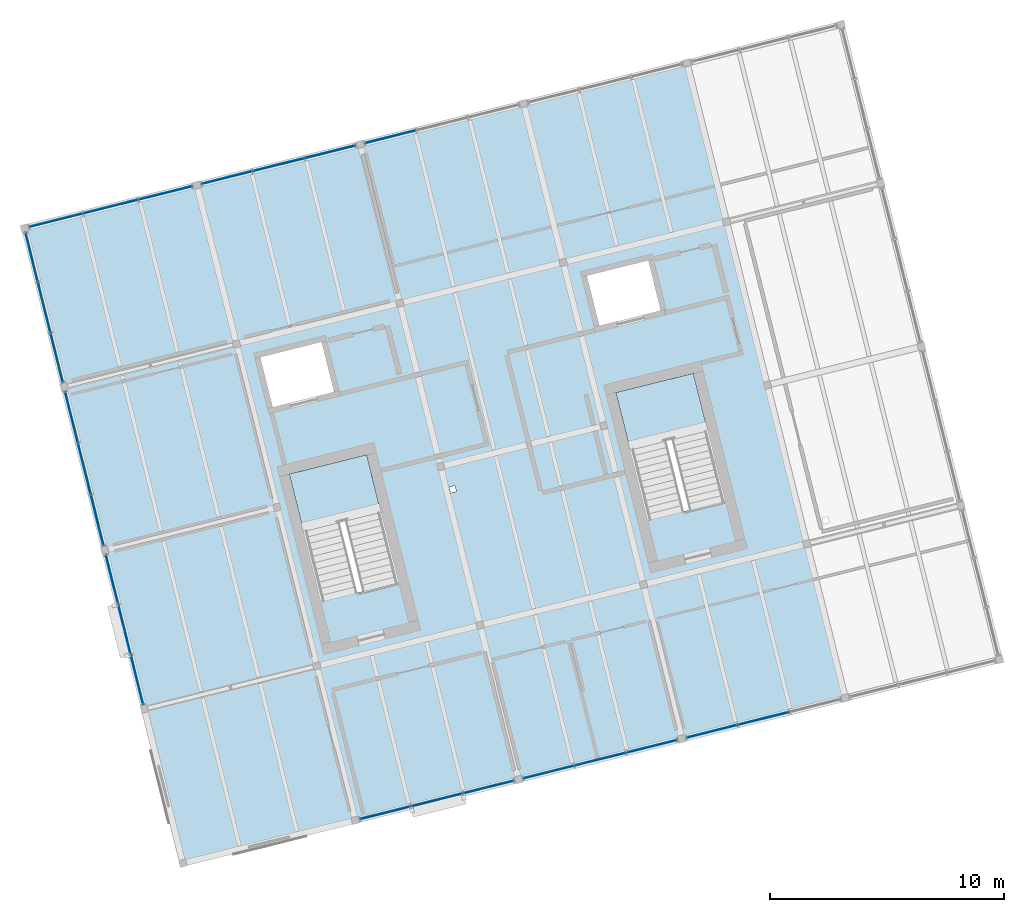
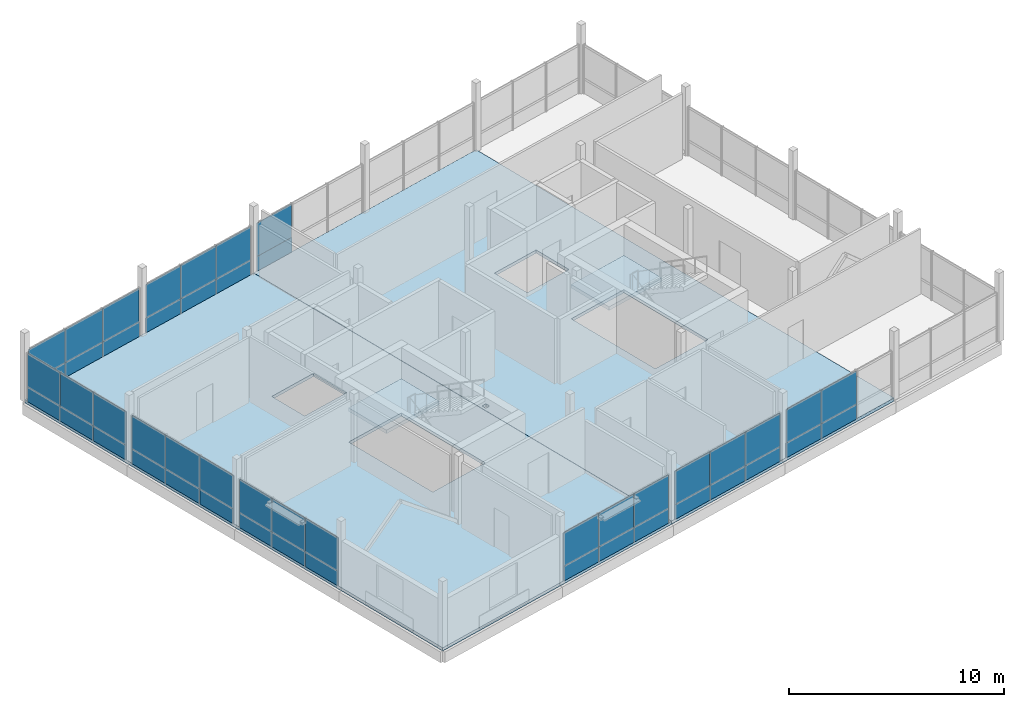
# One storey, part 21 of 25: 48 plates, 4 slabs, 11 elements without a shape of their own.
"""IFC4 building model written with IfcOpenShell, lengths in metres."""

from ifc_helpers import new_model, si_unit, direction, frame, origin, origin_2d, place, context, subcontext, project, spatial, polyline, rectangle, outline, extrude, material, layer, layer_set, type_object, element, aggregate, save


model = new_model("IFC4")

# Units and contexts
model_context = context("Model", 3, precision=1e-05, world=origin(), true_north=direction((0.0, 1.0)))
body_context = subcontext(model_context, "Body", "Model", "MODEL_VIEW")
ifc_project = project(units=[si_unit("LENGTHUNIT", "METRE"), si_unit("AREAUNIT", "SQUARE_METRE"), si_unit("VOLUMEUNIT", "CUBIC_METRE"), si_unit("PLANEANGLEUNIT", "RADIAN"), si_unit("MASSUNIT", "GRAM", prefix="KILO")], contexts=[model_context])

# Site, building, storey
site_placement = place(None, origin())
site = spatial("IfcSite", under=ifc_project, at=site_placement, CompositionType="ELEMENT")
building_placement = place(site_placement, origin())
building = spatial("IfcBuilding", under=site, at=building_placement, Name="Meriwether Solvik Hall", CompositionType="ELEMENT")
storey_placement = place(building_placement, frame((0.0, 0.0, 49.5)))
storey = spatial("IfcBuildingStorey", under=building, at=storey_placement, Name="L12", CompositionType="ELEMENT", Elevation=49.5)

# Curtain wall, plates
ifc_material_1 = material(Name="Thermally Broken Anodised Aluminium 6063-T6 and Low-E Glass", Category="aluminium")
ifc_layer_1 = layer(ifc_material_1, 0.179931640625)
ifc_layer_set_1 = layer_set([ifc_layer_1], Name="Thermally Broken Anodised Aluminium 6063-T6 and Low-E Glass")
curtain_wall_type_1 = type_object("IfcCurtainWallType", Name="CW-UNIT-E", PredefinedType="USERDEFINED", material=ifc_layer_set_1)
curtain_wall_1_placement = place(storey_placement, origin())
curtain_wall_1 = element("IfcCurtainWall", 1, at=curtain_wall_1_placement, inside=storey, type_object=curtain_wall_type_1, Name="Curtain Wall E0_B2 (L12)", ObjectType="UNITISED CURTAIN WALL", PredefinedType="USERDEFINED")
ifc_material_2 = material(Name="Low-Emissivity Double-Glazed Laminated Glass", Category="glass")
ifc_layer_2 = layer(ifc_material_2, 0.031982421875)
ifc_layer_set_2 = layer_set([ifc_layer_2], Name="Low-Emissivity Double-Glazed Laminated Glass")
plate_type_1 = type_object("IfcPlateType", Name="PLT-GLZ-180X185", PredefinedType="CURTAIN_PANEL", material=ifc_layer_set_2)
plate_1_placement = place(storey_placement, frame((88.654052734375, 46.199951171875, 0.8369140625), z_axis=(0.0, 0.0, 1.0), x_axis=(-0.970295730764, -0.241921877598, 0.0)))
plate_1 = element("IfcPlate", 2, at=plate_1_placement, type_object=plate_type_1, Name="Low-E Vision Glazing Panel 1", PredefinedType="CURTAIN_PANEL", context=body_context, shape_type="SweptSolid", body=[
    extrude(rectangle(XDim=2.240966796875, YDim=0.033935546875, at=origin_2d()), origin(), (0.0, 0.0, 1.0), 1.89306640625),
])
plate_2_placement = place(storey_placement, frame((86.453369140625, 45.6513671875, 0.8369140625), z_axis=(0.0, 0.0, 1.0), x_axis=(-0.970295730764, -0.241921877598, 0.0)))
plate_2 = element("IfcPlate", 3, at=plate_2_placement, type_object=plate_type_1, Name="Low-E Vision Glazing Panel 2", PredefinedType="CURTAIN_PANEL", context=body_context, shape_type="SweptSolid", body=[
    extrude(rectangle(XDim=2.279052734375, YDim=0.033935546875, at=origin_2d()), origin(), (0.0, 0.0, 1.0), 1.89306640625),
])
plate_3_placement = place(storey_placement, frame((84.2529296875, 45.102783203125, 0.8369140625), z_axis=(0.0, 0.0, 1.0), x_axis=(-0.970295730764, -0.241921877598, 0.0)))
plate_3 = element("IfcPlate", 4, at=plate_3_placement, type_object=plate_type_1, Name="Low-E Vision Glazing Panel 3", PredefinedType="CURTAIN_PANEL", context=body_context, shape_type="SweptSolid", body=[
    extrude(rectangle(XDim=2.240966796875, YDim=0.033935546875, at=origin_2d()), origin(), (0.0, 0.0, 1.0), 1.89306640625),
])

# Curtain wall, plate
ifc_material_3 = material(Name="Thermally Broken Anodised Aluminium 6063-T6 and Low-E Glass", Category="aluminium")
ifc_layer_3 = layer(ifc_material_3, 0.179931640625)
ifc_layer_set_3 = layer_set([ifc_layer_3], Name="Thermally Broken Anodised Aluminium 6063-T6 and Low-E Glass")
curtain_wall_type_2 = type_object("IfcCurtainWallType", Name="CW-UNIT-G", PredefinedType="USERDEFINED", material=ifc_layer_set_3)
curtain_wall_2_placement = place(storey_placement, origin())
curtain_wall_2 = element("IfcCurtainWall", 5, at=curtain_wall_2_placement, inside=storey, type_object=curtain_wall_type_2, Name="Curtain Wall E2_B2 (L12)", ObjectType="UNITISED CURTAIN WALL", PredefinedType="USERDEFINED")
plate_4_placement = place(storey_placement, frame((77.47900390625, 72.27099609375, 0.8369140625), z_axis=(0.0, 0.0, 1.0), x_axis=(0.970295730764, 0.241921877598, 0.0)))
plate_4 = element("IfcPlate", 6, at=plate_4_placement, type_object=plate_type_1, Name="Low-E Vision Glazing Panel 1", PredefinedType="CURTAIN_PANEL", context=body_context, shape_type="SweptSolid", body=[
    extrude(rectangle(XDim=2.240966796875, YDim=0.033935546875, at=origin_2d()), origin(), (0.0, 0.0, 1.0), 1.89306640625),
])

# Curtain wall, plates
ifc_material_4 = material(Name="Thermally Broken Anodised Aluminium 6063-T6 and Low-E Glass", Category="aluminium")
ifc_layer_4 = layer(ifc_material_4, 0.179931640625)
ifc_layer_set_4 = layer_set([ifc_layer_4], Name="Thermally Broken Anodised Aluminium 6063-T6 and Low-E Glass")
curtain_wall_type_3 = type_object("IfcCurtainWallType", Name="CW-UNIT-A", PredefinedType="USERDEFINED", material=ifc_layer_set_4)
curtain_wall_3_placement = place(storey_placement, origin())
curtain_wall_3 = element("IfcCurtainWall", 7, at=curtain_wall_3_placement, inside=storey, type_object=curtain_wall_type_3, Name="Curtain Wall E3_B2 (L12)", ObjectType="UNITISED CURTAIN WALL", PredefinedType="USERDEFINED")
plate_5_placement = place(storey_placement, frame((64.939208984375, 55.882568359375, 0.8369140625), z_axis=(0.0, 0.0, 1.0), x_axis=(-0.241921877598, 0.970295730764, 0.0)))
plate_5 = element("IfcPlate", 8, at=plate_5_placement, type_object=plate_type_1, Name="Low-E Vision Glazing Panel 1", PredefinedType="CURTAIN_PANEL", context=body_context, shape_type="SweptSolid", body=[
    extrude(rectangle(XDim=2.240966796875, YDim=0.033935546875, at=origin_2d()), origin(), (0.0, 0.0, 1.0), 1.89306640625),
])
plate_6_placement = place(storey_placement, frame((64.390625, 58.083251953125, 0.8369140625), z_axis=(0.0, 0.0, 1.0), x_axis=(-0.241921877598, 0.970295730764, 0.0)))
plate_6 = element("IfcPlate", 9, at=plate_6_placement, type_object=plate_type_1, Name="Low-E Vision Glazing Panel 2", PredefinedType="CURTAIN_PANEL", context=body_context, shape_type="SweptSolid", body=[
    extrude(rectangle(XDim=2.279052734375, YDim=0.033935546875, at=origin_2d()), origin(), (0.0, 0.0, 1.0), 1.89306640625),
])
plate_7_placement = place(storey_placement, frame((63.841796875, 60.28369140625, 0.8369140625), z_axis=(0.0, 0.0, 1.0), x_axis=(-0.241921877598, 0.970295730764, 0.0)))
plate_7 = element("IfcPlate", 10, at=plate_7_placement, type_object=plate_type_1, Name="Low-E Vision Glazing Panel 3", PredefinedType="CURTAIN_PANEL", context=body_context, shape_type="SweptSolid", body=[
    extrude(rectangle(XDim=2.240966796875, YDim=0.033935546875, at=origin_2d()), origin(), (0.0, 0.0, 1.0), 1.89306640625),
])

ifc_material_5 = material(Name="Thermally Broken Anodised Aluminium 6063-T6 and Low-E Glass", Category="aluminium")
ifc_layer_5 = layer(ifc_material_5, 0.179931640625)
ifc_layer_set_5 = layer_set([ifc_layer_5], Name="Thermally Broken Anodised Aluminium 6063-T6 and Low-E Glass")
curtain_wall_type_4 = type_object("IfcCurtainWallType", Name="CW-UNIT-D", PredefinedType="USERDEFINED", material=ifc_layer_set_5)
curtain_wall_4_placement = place(storey_placement, origin())
curtain_wall_4 = element("IfcCurtainWall", 11, at=curtain_wall_4_placement, inside=storey, type_object=curtain_wall_type_4, Name="Curtain Wall E0_B1 (L12)", ObjectType="UNITISED CURTAIN WALL", PredefinedType="USERDEFINED")
ifc_material_6 = material(Name="Low-Emissivity Double-Glazed Laminated Glass", Category="glass")
ifc_layer_6 = layer(ifc_material_6, 0.031982421875)
ifc_layer_set_6 = layer_set([ifc_layer_6], Name="Low-Emissivity Double-Glazed Laminated Glass")
plate_type_2 = type_object("IfcPlateType", Name="PLT-GLZ-195X185", PredefinedType="CURTAIN_PANEL", material=ifc_layer_set_6)
plate_8_placement = place(storey_placement, frame((81.66796875, 44.458251953125, 0.8369140625), z_axis=(0.0, 0.0, 1.0), x_axis=(-0.970295730764, -0.241921877598, 0.0)))
plate_8 = element("IfcPlate", 12, at=plate_8_placement, type_object=plate_type_2, Name="Low-E Vision Glazing Panel 1", PredefinedType="CURTAIN_PANEL", context=body_context, shape_type="SweptSolid", body=[
    extrude(rectangle(XDim=2.240966796875, YDim=0.033935546875, at=origin_2d()), origin(), (0.0, 0.0, 1.0), 1.89306640625),
])
plate_9_placement = place(storey_placement, frame((79.46728515625, 43.909423828125, 0.8369140625), z_axis=(0.0, 0.0, 1.0), x_axis=(-0.970295730764, -0.241921877598, 0.0)))
plate_9 = element("IfcPlate", 13, at=plate_9_placement, type_object=plate_type_2, Name="Low-E Vision Glazing Panel 2", PredefinedType="CURTAIN_PANEL", context=body_context, shape_type="SweptSolid", body=[
    extrude(rectangle(XDim=2.279052734375, YDim=0.033935546875, at=origin_2d()), origin(), (0.0, 0.0, 1.0), 1.89306640625),
])
plate_10_placement = place(storey_placement, frame((77.2666015625, 43.36083984375, 0.8369140625), z_axis=(0.0, 0.0, 1.0), x_axis=(-0.970295730764, -0.241921877598, 0.0)))
plate_10 = element("IfcPlate", 14, at=plate_10_placement, type_object=plate_type_2, Name="Low-E Vision Glazing Panel 3", PredefinedType="CURTAIN_PANEL", context=body_context, shape_type="SweptSolid", body=[
    extrude(rectangle(XDim=2.240966796875, YDim=0.033935546875, at=origin_2d()), origin(), (0.0, 0.0, 1.0), 1.89306640625),
])

ifc_material_7 = material(Name="Thermally Broken Anodised Aluminium 6063-T6 and Low-E Glass", Category="aluminium")
ifc_layer_7 = layer(ifc_material_7, 0.179931640625)
ifc_layer_set_7 = layer_set([ifc_layer_7], Name="Thermally Broken Anodised Aluminium 6063-T6 and Low-E Glass")
curtain_wall_type_5 = type_object("IfcCurtainWallType", Name="CW-UNIT-F", PredefinedType="USERDEFINED", material=ifc_layer_set_7)
curtain_wall_5_placement = place(storey_placement, origin())
curtain_wall_5 = element("IfcCurtainWall", 15, at=curtain_wall_5_placement, inside=storey, type_object=curtain_wall_type_5, Name="Curtain Wall E2_B1 (L12)", ObjectType="UNITISED CURTAIN WALL", PredefinedType="USERDEFINED")
plate_11_placement = place(storey_placement, frame((70.492919921875, 70.529052734375, 0.8369140625), z_axis=(0.0, 0.0, 1.0), x_axis=(0.970295730764, 0.241921877598, 0.0)))
plate_11 = element("IfcPlate", 16, at=plate_11_placement, type_object=plate_type_2, Name="Low-E Vision Glazing Panel 1", PredefinedType="CURTAIN_PANEL", context=body_context, shape_type="SweptSolid", body=[
    extrude(rectangle(XDim=2.240966796875, YDim=0.033935546875, at=origin_2d()), origin(), (0.0, 0.0, 1.0), 1.89306640625),
])
plate_12_placement = place(storey_placement, frame((72.693603515625, 71.077880859375, 0.8369140625), z_axis=(0.0, 0.0, 1.0), x_axis=(0.970295730764, 0.241921877598, 0.0)))
plate_12 = element("IfcPlate", 17, at=plate_12_placement, type_object=plate_type_2, Name="Low-E Vision Glazing Panel 2", PredefinedType="CURTAIN_PANEL", context=body_context, shape_type="SweptSolid", body=[
    extrude(rectangle(XDim=2.279052734375, YDim=0.033935546875, at=origin_2d()), origin(), (0.0, 0.0, 1.0), 1.89306640625),
])
plate_13_placement = place(storey_placement, frame((74.89404296875, 71.62646484375, 0.8369140625), z_axis=(0.0, 0.0, 1.0), x_axis=(0.970295730764, 0.241921877598, 0.0)))
plate_13 = element("IfcPlate", 18, at=plate_13_placement, type_object=plate_type_2, Name="Low-E Vision Glazing Panel 3", PredefinedType="CURTAIN_PANEL", context=body_context, shape_type="SweptSolid", body=[
    extrude(rectangle(XDim=2.240966796875, YDim=0.033935546875, at=origin_2d()), origin(), (0.0, 0.0, 1.0), 1.89306640625),
])

curtain_wall_6_placement = place(storey_placement, origin())
curtain_wall_6 = element("IfcCurtainWall", 19, at=curtain_wall_6_placement, inside=storey, type_object=curtain_wall_type_2, Name="Curtain Wall E3_B1 (L12)", ObjectType="UNITISED CURTAIN WALL", PredefinedType="USERDEFINED")
plate_14_placement = place(storey_placement, frame((66.640869140625, 49.05810546875, 0.8369140625), z_axis=(0.0, 0.0, 1.0), x_axis=(-0.241921784185, 0.970295754055, 0.0)))
plate_14 = element("IfcPlate", 20, at=plate_14_placement, type_object=plate_type_2, Name="Low-E Vision Glazing Panel 1", PredefinedType="CURTAIN_PANEL", context=body_context, shape_type="SweptSolid", body=[
    extrude(rectangle(XDim=2.17431640625, YDim=0.033935546875, at=origin_2d()), origin(), (0.0, 0.0, 1.0), 1.89306640625),
])
plate_15_placement = place(storey_placement, frame((66.108154296875, 51.194091796875, 0.8369140625), z_axis=(0.0, 0.0, 1.0), x_axis=(-0.241921784185, 0.970295754055, 0.0)))
plate_15 = element("IfcPlate", 21, at=plate_15_placement, type_object=plate_type_2, Name="Low-E Vision Glazing Panel 2", PredefinedType="CURTAIN_PANEL", context=body_context, shape_type="SweptSolid", body=[
    extrude(rectangle(XDim=2.21240234375, YDim=0.033935546875, at=origin_2d()), origin(), (0.0, 0.0, 1.0), 1.89306640625),
])
plate_16_placement = place(storey_placement, frame((65.57568359375, 53.330078125, 0.8369140625), z_axis=(0.0, 0.0, 1.0), x_axis=(-0.241921784185, 0.970295754055, 0.0)))
plate_16 = element("IfcPlate", 22, at=plate_16_placement, type_object=plate_type_2, Name="Low-E Vision Glazing Panel 3", PredefinedType="CURTAIN_PANEL", context=body_context, shape_type="SweptSolid", body=[
    extrude(rectangle(XDim=2.17431640625, YDim=0.033935546875, at=origin_2d()), origin(), (0.0, 0.0, 1.0), 1.89306640625),
])

curtain_wall_7_placement = place(storey_placement, origin())
curtain_wall_7 = element("IfcCurtainWall", 23, at=curtain_wall_7_placement, inside=storey, type_object=curtain_wall_type_1, Name="Curtain Wall E2_B0 (L12)", ObjectType="UNITISED CURTAIN WALL", PredefinedType="USERDEFINED")
ifc_material_8 = material(Name="Low-Emissivity Double-Glazed Laminated Glass", Category="glass")
ifc_layer_8 = layer(ifc_material_8, 0.031982421875)
ifc_layer_set_8 = layer_set([ifc_layer_8], Name="Low-Emissivity Double-Glazed Laminated Glass")
plate_type_3 = type_object("IfcPlateType", Name="PLT-GLZ-210X195", PredefinedType="CURTAIN_PANEL", material=ifc_layer_set_8)
plate_17_placement = place(storey_placement, frame((63.183349609375, 68.70654296875, 0.8369140625), z_axis=(0.0, 0.0, 1.0), x_axis=(0.970295720361, 0.241921919325, 0.0)))
plate_17 = element("IfcPlate", 24, at=plate_17_placement, type_object=plate_type_3, Name="Low-E Vision Glazing Panel 1", PredefinedType="CURTAIN_PANEL", context=body_context, shape_type="SweptSolid", body=[
    extrude(rectangle(XDim=2.374267578125, YDim=0.033935546875, at=origin_2d()), origin(), (0.0, 0.0, 1.0), 1.89306640625),
])
plate_18_placement = place(storey_placement, frame((65.513427734375, 69.28759765625, 0.8369140625), z_axis=(0.0, 0.0, 1.0), x_axis=(0.970295720361, 0.241921919325, 0.0)))
plate_18 = element("IfcPlate", 25, at=plate_18_placement, type_object=plate_type_3, Name="Low-E Vision Glazing Panel 2", PredefinedType="CURTAIN_PANEL", context=body_context, shape_type="SweptSolid", body=[
    extrude(rectangle(XDim=2.412353515625, YDim=0.033935546875, at=origin_2d()), origin(), (0.0, 0.0, 1.0), 1.89306640625),
])
plate_19_placement = place(storey_placement, frame((67.84326171875, 69.868408203125, 0.8369140625), z_axis=(0.0, 0.0, 1.0), x_axis=(0.970295720361, 0.241921919325, 0.0)))
plate_19 = element("IfcPlate", 26, at=plate_19_placement, type_object=plate_type_3, Name="Low-E Vision Glazing Panel 3", PredefinedType="CURTAIN_PANEL", context=body_context, shape_type="SweptSolid", body=[
    extrude(rectangle(XDim=2.374267578125, YDim=0.033935546875, at=origin_2d()), origin(), (0.0, 0.0, 1.0), 1.89306640625),
])

curtain_wall_8_placement = place(storey_placement, origin())
curtain_wall_8 = element("IfcCurtainWall", 27, at=curtain_wall_8_placement, inside=storey, type_object=curtain_wall_type_5, Name="Curtain Wall E0_B3 (L12)", ObjectType="UNITISED CURTAIN WALL", PredefinedType="USERDEFINED")
ifc_material_9 = material(Name="Low-Emissivity Double-Glazed Laminated Glass", Category="glass")
ifc_layer_9 = layer(ifc_material_9, 0.031982421875)
ifc_layer_set_9 = layer_set([ifc_layer_9], Name="Low-Emissivity Double-Glazed Laminated Glass")
plate_type_4 = type_object("IfcPlateType", Name="PLT-GLZ-225X195", PredefinedType="CURTAIN_PANEL", material=ifc_layer_set_9)
plate_20_placement = place(storey_placement, frame((93.439453125, 47.393310546875, 0.8369140625), z_axis=(0.0, 0.0, 1.0), x_axis=(-0.970295696551, -0.241922014821, 0.0)))
plate_20 = element("IfcPlate", 28, at=plate_20_placement, type_object=plate_type_4, Name="Low-E Vision Glazing Panel 2", PredefinedType="CURTAIN_PANEL", context=body_context, shape_type="SweptSolid", body=[
    extrude(rectangle(XDim=2.279052734375, YDim=0.033935546875, at=origin_2d()), origin(), (0.0, 0.0, 1.0), 1.89306640625),
])
plate_21_placement = place(storey_placement, frame((91.239013671875, 46.844482421875, 0.8369140625), z_axis=(0.0, 0.0, 1.0), x_axis=(-0.970295696551, -0.241922014821, 0.0)))
plate_21 = element("IfcPlate", 29, at=plate_21_placement, type_object=plate_type_4, Name="Low-E Vision Glazing Panel 3", PredefinedType="CURTAIN_PANEL", context=body_context, shape_type="SweptSolid", body=[
    extrude(rectangle(XDim=2.240966796875, YDim=0.033935546875, at=origin_2d()), origin(), (0.0, 0.0, 1.0), 1.89306640625),
])

ifc_material_10 = material(Name="Thermally Broken Anodised Aluminium 6063-T6 and Low-E Glass", Category="aluminium")
ifc_layer_10 = layer(ifc_material_10, 0.179931640625)
ifc_layer_set_10 = layer_set([ifc_layer_10], Name="Thermally Broken Anodised Aluminium 6063-T6 and Low-E Glass")
curtain_wall_type_6 = type_object("IfcCurtainWallType", Name="CW-UNIT-B", PredefinedType="USERDEFINED", material=ifc_layer_set_10)
curtain_wall_9_placement = place(storey_placement, origin())
curtain_wall_9 = element("IfcCurtainWall", 30, at=curtain_wall_9_placement, inside=storey, type_object=curtain_wall_type_6, Name="Curtain Wall E3_B3 (L12)", ObjectType="UNITISED CURTAIN WALL", PredefinedType="USERDEFINED")
plate_22_placement = place(storey_placement, frame((63.20556640625, 62.836181640625, 0.8369140625), z_axis=(0.0, 0.0, 1.0), x_axis=(-0.241921784185, 0.970295754055, 0.0)))
plate_22 = element("IfcPlate", 31, at=plate_22_placement, type_object=plate_type_4, Name="Low-E Vision Glazing Panel 1", PredefinedType="CURTAIN_PANEL", context=body_context, shape_type="SweptSolid", body=[
    extrude(rectangle(XDim=2.17431640625, YDim=0.033935546875, at=origin_2d()), origin(), (0.0, 0.0, 1.0), 1.89306640625),
])
plate_23_placement = place(storey_placement, frame((62.6728515625, 64.97216796875, 0.8369140625), z_axis=(0.0, 0.0, 1.0), x_axis=(-0.241921784185, 0.970295754055, 0.0)))
plate_23 = element("IfcPlate", 32, at=plate_23_placement, type_object=plate_type_4, Name="Low-E Vision Glazing Panel 2", PredefinedType="CURTAIN_PANEL", context=body_context, shape_type="SweptSolid", body=[
    extrude(rectangle(XDim=2.21240234375, YDim=0.033935546875, at=origin_2d()), origin(), (0.0, 0.0, 1.0), 1.89306640625),
])
plate_24_placement = place(storey_placement, frame((62.140380859375, 67.108154296875, 0.8369140625), z_axis=(0.0, 0.0, 1.0), x_axis=(-0.241921784185, 0.970295754055, 0.0)))
plate_24 = element("IfcPlate", 33, at=plate_24_placement, type_object=plate_type_4, Name="Low-E Vision Glazing Panel 3", PredefinedType="CURTAIN_PANEL", context=body_context, shape_type="SweptSolid", body=[
    extrude(rectangle(XDim=2.17431640625, YDim=0.033935546875, at=origin_2d()), origin(), (0.0, 0.0, 1.0), 1.89306640625),
])

# Plate
ifc_material_11 = material(Name="Mineral-Wool Insulated Anodised Aluminium 6063-T6", Category="aluminium")
ifc_layer_11 = layer(ifc_material_11, 0.044921875)
ifc_layer_set_11 = layer_set([ifc_layer_11], Name="Mineral-Wool Insulated Anodised Aluminium 6063-T6")
plate_type_5 = type_object("IfcPlateType", Name="PLT-SPN-200X085", PredefinedType="CURTAIN_PANEL", material=ifc_layer_set_11)
plate_25_placement = place(storey_placement, frame((81.66796875, 44.458251953125, 0.0), z_axis=(0.0, 0.0, 1.0), x_axis=(-0.970295730764, -0.241921877598, 0.0)))
plate_25 = element("IfcPlate", 34, at=plate_25_placement, type_object=plate_type_5, Name="Insulated Spandrel Panel 1", PredefinedType="CURTAIN_PANEL", context=body_context, shape_type="SweptSolid", body=[
    extrude(rectangle(XDim=2.240966796875, YDim=0.044921875, at=origin_2d()), origin(), (0.0, 0.0, 1.0), 0.8369140625),
])

plate_26_placement = place(storey_placement, frame((79.46728515625, 43.909423828125, 0.0), z_axis=(0.0, 0.0, 1.0), x_axis=(-0.970295730764, -0.241921877598, 0.0)))
plate_26 = element("IfcPlate", 35, at=plate_26_placement, type_object=plate_type_5, Name="Insulated Spandrel Panel 2", PredefinedType="CURTAIN_PANEL", context=body_context, shape_type="SweptSolid", body=[
    extrude(rectangle(XDim=2.279052734375, YDim=0.044921875, at=origin_2d()), origin(), (0.0, 0.0, 1.0), 0.8369140625),
])

plate_27_placement = place(storey_placement, frame((77.2666015625, 43.36083984375, 0.0), z_axis=(0.0, 0.0, 1.0), x_axis=(-0.970295730764, -0.241921877598, 0.0)))
plate_27 = element("IfcPlate", 36, at=plate_27_placement, type_object=plate_type_5, Name="Insulated Spandrel Panel 3", PredefinedType="CURTAIN_PANEL", context=body_context, shape_type="SweptSolid", body=[
    extrude(rectangle(XDim=2.240966796875, YDim=0.044921875, at=origin_2d()), origin(), (0.0, 0.0, 1.0), 0.8369140625),
])

aggregate(curtain_wall_4, [plate_25, plate_8, plate_26, plate_9, plate_27, plate_10])

plate_28_placement = place(storey_placement, frame((88.654052734375, 46.199951171875, 0.0), z_axis=(0.0, 0.0, 1.0), x_axis=(-0.970295730764, -0.241921877598, 0.0)))
plate_28 = element("IfcPlate", 37, at=plate_28_placement, type_object=plate_type_5, Name="Insulated Spandrel Panel 1", PredefinedType="CURTAIN_PANEL", context=body_context, shape_type="SweptSolid", body=[
    extrude(rectangle(XDim=2.240966796875, YDim=0.044921875, at=origin_2d()), origin(), (0.0, 0.0, 1.0), 0.8369140625),
])

plate_29_placement = place(storey_placement, frame((86.453369140625, 45.6513671875, 0.0), z_axis=(0.0, 0.0, 1.0), x_axis=(-0.970295730764, -0.241921877598, 0.0)))
plate_29 = element("IfcPlate", 38, at=plate_29_placement, type_object=plate_type_5, Name="Insulated Spandrel Panel 2", PredefinedType="CURTAIN_PANEL", context=body_context, shape_type="SweptSolid", body=[
    extrude(rectangle(XDim=2.279052734375, YDim=0.044921875, at=origin_2d()), origin(), (0.0, 0.0, 1.0), 0.8369140625),
])

plate_30_placement = place(storey_placement, frame((84.2529296875, 45.102783203125, 0.0), z_axis=(0.0, 0.0, 1.0), x_axis=(-0.970295730764, -0.241921877598, 0.0)))
plate_30 = element("IfcPlate", 39, at=plate_30_placement, type_object=plate_type_5, Name="Insulated Spandrel Panel 3", PredefinedType="CURTAIN_PANEL", context=body_context, shape_type="SweptSolid", body=[
    extrude(rectangle(XDim=2.240966796875, YDim=0.044921875, at=origin_2d()), origin(), (0.0, 0.0, 1.0), 0.8369140625),
])

aggregate(curtain_wall_1, [plate_28, plate_1, plate_29, plate_2, plate_30, plate_3])

plate_31_placement = place(storey_placement, frame((93.439453125, 47.393310546875, 0.0), z_axis=(0.0, 0.0, 1.0), x_axis=(-0.970295696551, -0.241922014821, 0.0)))
plate_31 = element("IfcPlate", 40, at=plate_31_placement, type_object=plate_type_5, Name="Insulated Spandrel Panel 2", PredefinedType="CURTAIN_PANEL", context=body_context, shape_type="SweptSolid", body=[
    extrude(rectangle(XDim=2.279052734375, YDim=0.044921875, at=origin_2d()), origin(), (0.0, 0.0, 1.0), 0.8369140625),
])

plate_32_placement = place(storey_placement, frame((91.239013671875, 46.844482421875, 0.0), z_axis=(0.0, 0.0, 1.0), x_axis=(-0.970295696551, -0.241922014821, 0.0)))
plate_32 = element("IfcPlate", 41, at=plate_32_placement, type_object=plate_type_5, Name="Insulated Spandrel Panel 3", PredefinedType="CURTAIN_PANEL", context=body_context, shape_type="SweptSolid", body=[
    extrude(rectangle(XDim=2.240966796875, YDim=0.044921875, at=origin_2d()), origin(), (0.0, 0.0, 1.0), 0.8369140625),
])

aggregate(curtain_wall_8, [plate_31, plate_20, plate_32, plate_21])

plate_33_placement = place(storey_placement, frame((63.183349609375, 68.70654296875, 0.0), z_axis=(0.0, 0.0, 1.0), x_axis=(0.970295720361, 0.241921919325, 0.0)))
plate_33 = element("IfcPlate", 42, at=plate_33_placement, type_object=plate_type_5, Name="Insulated Spandrel Panel 1", PredefinedType="CURTAIN_PANEL", context=body_context, shape_type="SweptSolid", body=[
    extrude(rectangle(XDim=2.374267578125, YDim=0.044921875, at=origin_2d()), origin(), (0.0, 0.0, 1.0), 0.8369140625),
])

plate_34_placement = place(storey_placement, frame((65.513427734375, 69.28759765625, 0.0), z_axis=(0.0, 0.0, 1.0), x_axis=(0.970295720361, 0.241921919325, 0.0)))
plate_34 = element("IfcPlate", 43, at=plate_34_placement, type_object=plate_type_5, Name="Insulated Spandrel Panel 2", PredefinedType="CURTAIN_PANEL", context=body_context, shape_type="SweptSolid", body=[
    extrude(rectangle(XDim=2.412353515625, YDim=0.044921875, at=origin_2d()), origin(), (0.0, 0.0, 1.0), 0.8369140625),
])

plate_35_placement = place(storey_placement, frame((67.84326171875, 69.868408203125, 0.0), z_axis=(0.0, 0.0, 1.0), x_axis=(0.970295720361, 0.241921919325, 0.0)))
plate_35 = element("IfcPlate", 44, at=plate_35_placement, type_object=plate_type_5, Name="Insulated Spandrel Panel 3", PredefinedType="CURTAIN_PANEL", context=body_context, shape_type="SweptSolid", body=[
    extrude(rectangle(XDim=2.374267578125, YDim=0.044921875, at=origin_2d()), origin(), (0.0, 0.0, 1.0), 0.8369140625),
])

aggregate(curtain_wall_7, [plate_33, plate_17, plate_34, plate_18, plate_35, plate_19])

plate_36_placement = place(storey_placement, frame((70.492919921875, 70.529052734375, 0.0), z_axis=(0.0, 0.0, 1.0), x_axis=(0.970295730764, 0.241921877598, 0.0)))
plate_36 = element("IfcPlate", 45, at=plate_36_placement, type_object=plate_type_5, Name="Insulated Spandrel Panel 1", PredefinedType="CURTAIN_PANEL", context=body_context, shape_type="SweptSolid", body=[
    extrude(rectangle(XDim=2.240966796875, YDim=0.044921875, at=origin_2d()), origin(), (0.0, 0.0, 1.0), 0.8369140625),
])

plate_37_placement = place(storey_placement, frame((72.693603515625, 71.077880859375, 0.0), z_axis=(0.0, 0.0, 1.0), x_axis=(0.970295730764, 0.241921877598, 0.0)))
plate_37 = element("IfcPlate", 46, at=plate_37_placement, type_object=plate_type_5, Name="Insulated Spandrel Panel 2", PredefinedType="CURTAIN_PANEL", context=body_context, shape_type="SweptSolid", body=[
    extrude(rectangle(XDim=2.279052734375, YDim=0.044921875, at=origin_2d()), origin(), (0.0, 0.0, 1.0), 0.8369140625),
])

plate_38_placement = place(storey_placement, frame((74.89404296875, 71.62646484375, 0.0), z_axis=(0.0, 0.0, 1.0), x_axis=(0.970295730764, 0.241921877598, 0.0)))
plate_38 = element("IfcPlate", 47, at=plate_38_placement, type_object=plate_type_5, Name="Insulated Spandrel Panel 3", PredefinedType="CURTAIN_PANEL", context=body_context, shape_type="SweptSolid", body=[
    extrude(rectangle(XDim=2.240966796875, YDim=0.044921875, at=origin_2d()), origin(), (0.0, 0.0, 1.0), 0.8369140625),
])

aggregate(curtain_wall_5, [plate_36, plate_11, plate_37, plate_12, plate_38, plate_13])

plate_39_placement = place(storey_placement, frame((77.47900390625, 72.27099609375, 0.0), z_axis=(0.0, 0.0, 1.0), x_axis=(0.970295730764, 0.241921877598, 0.0)))
plate_39 = element("IfcPlate", 48, at=plate_39_placement, type_object=plate_type_5, Name="Insulated Spandrel Panel 1", PredefinedType="CURTAIN_PANEL", context=body_context, shape_type="SweptSolid", body=[
    extrude(rectangle(XDim=2.240966796875, YDim=0.044921875, at=origin_2d()), origin(), (0.0, 0.0, 1.0), 0.8369140625),
])

aggregate(curtain_wall_2, [plate_39, plate_4])

plate_40_placement = place(storey_placement, frame((66.640869140625, 49.05810546875, 0.0), z_axis=(0.0, 0.0, 1.0), x_axis=(-0.241921784185, 0.970295754055, 0.0)))
plate_40 = element("IfcPlate", 49, at=plate_40_placement, type_object=plate_type_5, Name="Insulated Spandrel Panel 1", PredefinedType="CURTAIN_PANEL", context=body_context, shape_type="SweptSolid", body=[
    extrude(rectangle(XDim=2.17431640625, YDim=0.044921875, at=origin_2d()), origin(), (0.0, 0.0, 1.0), 0.8369140625),
])

plate_41_placement = place(storey_placement, frame((66.108154296875, 51.194091796875, 0.0), z_axis=(0.0, 0.0, 1.0), x_axis=(-0.241921784185, 0.970295754055, 0.0)))
plate_41 = element("IfcPlate", 50, at=plate_41_placement, type_object=plate_type_5, Name="Insulated Spandrel Panel 2", PredefinedType="CURTAIN_PANEL", context=body_context, shape_type="SweptSolid", body=[
    extrude(rectangle(XDim=2.21240234375, YDim=0.044921875, at=origin_2d()), origin(), (0.0, 0.0, 1.0), 0.8369140625),
])

plate_42_placement = place(storey_placement, frame((65.57568359375, 53.330078125, 0.0), z_axis=(0.0, 0.0, 1.0), x_axis=(-0.241921784185, 0.970295754055, 0.0)))
plate_42 = element("IfcPlate", 51, at=plate_42_placement, type_object=plate_type_5, Name="Insulated Spandrel Panel 3", PredefinedType="CURTAIN_PANEL", context=body_context, shape_type="SweptSolid", body=[
    extrude(rectangle(XDim=2.17431640625, YDim=0.044921875, at=origin_2d()), origin(), (0.0, 0.0, 1.0), 0.8369140625),
])

aggregate(curtain_wall_6, [plate_40, plate_14, plate_41, plate_15, plate_42, plate_16])

plate_43_placement = place(storey_placement, frame((64.939208984375, 55.882568359375, 0.0), z_axis=(0.0, 0.0, 1.0), x_axis=(-0.241921877598, 0.970295730764, 0.0)))
plate_43 = element("IfcPlate", 52, at=plate_43_placement, type_object=plate_type_5, Name="Insulated Spandrel Panel 1", PredefinedType="CURTAIN_PANEL", context=body_context, shape_type="SweptSolid", body=[
    extrude(rectangle(XDim=2.240966796875, YDim=0.044921875, at=origin_2d()), origin(), (0.0, 0.0, 1.0), 0.8369140625),
])

plate_44_placement = place(storey_placement, frame((64.390625, 58.083251953125, 0.0), z_axis=(0.0, 0.0, 1.0), x_axis=(-0.241921877598, 0.970295730764, 0.0)))
plate_44 = element("IfcPlate", 53, at=plate_44_placement, type_object=plate_type_5, Name="Insulated Spandrel Panel 2", PredefinedType="CURTAIN_PANEL", context=body_context, shape_type="SweptSolid", body=[
    extrude(rectangle(XDim=2.279052734375, YDim=0.044921875, at=origin_2d()), origin(), (0.0, 0.0, 1.0), 0.8369140625),
])

plate_45_placement = place(storey_placement, frame((63.841796875, 60.28369140625, 0.0), z_axis=(0.0, 0.0, 1.0), x_axis=(-0.241921877598, 0.970295730764, 0.0)))
plate_45 = element("IfcPlate", 54, at=plate_45_placement, type_object=plate_type_5, Name="Insulated Spandrel Panel 3", PredefinedType="CURTAIN_PANEL", context=body_context, shape_type="SweptSolid", body=[
    extrude(rectangle(XDim=2.240966796875, YDim=0.044921875, at=origin_2d()), origin(), (0.0, 0.0, 1.0), 0.8369140625),
])

aggregate(curtain_wall_3, [plate_43, plate_5, plate_44, plate_6, plate_45, plate_7])

plate_46_placement = place(storey_placement, frame((63.20556640625, 62.836181640625, 0.0), z_axis=(0.0, 0.0, 1.0), x_axis=(-0.241921784185, 0.970295754055, 0.0)))
plate_46 = element("IfcPlate", 55, at=plate_46_placement, type_object=plate_type_5, Name="Insulated Spandrel Panel 1", PredefinedType="CURTAIN_PANEL", context=body_context, shape_type="SweptSolid", body=[
    extrude(rectangle(XDim=2.17431640625, YDim=0.044921875, at=origin_2d()), origin(), (0.0, 0.0, 1.0), 0.8369140625),
])

plate_47_placement = place(storey_placement, frame((62.6728515625, 64.97216796875, 0.0), z_axis=(0.0, 0.0, 1.0), x_axis=(-0.241921784185, 0.970295754055, 0.0)))
plate_47 = element("IfcPlate", 56, at=plate_47_placement, type_object=plate_type_5, Name="Insulated Spandrel Panel 2", PredefinedType="CURTAIN_PANEL", context=body_context, shape_type="SweptSolid", body=[
    extrude(rectangle(XDim=2.21240234375, YDim=0.044921875, at=origin_2d()), origin(), (0.0, 0.0, 1.0), 0.8369140625),
])

plate_48_placement = place(storey_placement, frame((62.140380859375, 67.108154296875, 0.0), z_axis=(0.0, 0.0, 1.0), x_axis=(-0.241921784185, 0.970295754055, 0.0)))
plate_48 = element("IfcPlate", 57, at=plate_48_placement, type_object=plate_type_5, Name="Insulated Spandrel Panel 3", PredefinedType="CURTAIN_PANEL", context=body_context, shape_type="SweptSolid", body=[
    extrude(rectangle(XDim=2.17431640625, YDim=0.044921875, at=origin_2d()), origin(), (0.0, 0.0, 1.0), 0.8369140625),
])

aggregate(curtain_wall_9, [plate_46, plate_22, plate_47, plate_23, plate_48, plate_24])

# Slabs
ifc_material_12 = material(Name="Cross-Laminated Timber PRG 320 E1", Category="wood")
ifc_layer_12 = layer(ifc_material_12, 0.179931640625)
ifc_layer_set_12 = layer_set([ifc_layer_12], Name="Cross-Laminated Timber PRG 320 E1")
slab_type_1 = type_object("IfcSlabType", Name="SLB-CLT-180", PredefinedType="FLOOR", material=ifc_layer_set_12)
slab_1_placement = place(storey_placement, frame((0.0, 0.0, -0.179931640625)))
element("IfcSlab", 58, at=slab_1_placement, inside=storey, type_object=slab_type_1, Name="L12 Mass-Timber CLT Floor W", PredefinedType="FLOOR", context=body_context, shape_type="SweptSolid", body=[
    extrude(outline(polyline([(76.18359375, 71.947998046875), (82.95751953125, 44.77978515625), (68.60009765625, 41.199951171875), (61.826171875, 68.3681640625), (76.18359375, 71.947998046875)]), holes=[polyline([(74.5205078125, 52.382568359375), (77.819580078125, 53.205078125), (76.45703125, 58.669677734375), (73.157958984375, 57.84716796875), (74.5205078125, 52.382568359375)]), polyline([(71.912109375, 62.84423828125), (72.4443359375, 60.70947265625), (75.064208984375, 61.36279296875), (74.531982421875, 63.497314453125), (71.912109375, 62.84423828125)])]), origin(), (0.0, 0.0, 1.0), 0.179931640625),
])
slab_2_placement = place(storey_placement, frame((0.0, 0.0, -0.179931640625)))
element("IfcSlab", 59, at=slab_2_placement, inside=storey, type_object=slab_type_1, Name="L12 Mass-Timber CLT Floor C", PredefinedType="FLOOR", context=body_context, shape_type="SweptSolid", body=[
    extrude(outline(polyline([(90.156005859375, 75.431640625), (96.9296875, 48.263427734375), (82.96337890625, 44.78125), (76.189453125, 71.949462890625), (90.156005859375, 75.431640625)]), holes=[polyline([(79.997314453125, 57.284912109375), (80.0576171875, 57.04248046875), (80.30029296875, 57.10302734375), (80.23974609375, 57.345458984375), (79.997314453125, 57.284912109375)]), polyline([(88.492919921875, 55.8662109375), (91.791748046875, 56.688720703125), (90.429443359375, 62.1533203125), (87.13037109375, 61.330810546875), (88.492919921875, 55.8662109375)]), polyline([(85.884521484375, 66.327880859375), (86.416748046875, 64.193359375), (89.036376953125, 64.846435546875), (88.504150390625, 66.981201171875), (85.884521484375, 66.327880859375)])]), origin(), (0.0, 0.0, 1.0), 0.179931640625),
])

# Stair, slab
ifc_material_13 = material(Name="Concrete C40/50", Category="concrete")
stair_type = type_object("IfcStairType", Name="STR-CORE-DOGLEG-A", PredefinedType="TWO_STRAIGHT_RUN_STAIR", material=ifc_material_13)
stair_1_placement = place(storey_placement, origin())
stair_1 = element("IfcStair", 60, at=stair_1_placement, inside=storey, type_object=stair_type, Name="Exit Stair ST-01 (L12)", PredefinedType="TWO_STRAIGHT_RUN_STAIR")
ifc_material_14 = material(Name="Concrete C40/50", Category="concrete")
ifc_layer_13 = layer(ifc_material_14, 0.199951171875)
ifc_layer_set_13 = layer_set([ifc_layer_13], Name="Concrete C40/50")
slab_type_2 = type_object("IfcSlabType", Name="SLB-LND-200", PredefinedType="LANDING", material=ifc_layer_set_13)
slab_3_placement = place(storey_placement, frame((0.0, 0.0, 1.75)))
slab_3 = element("IfcSlab", 61, at=slab_3_placement, type_object=slab_type_2, Name="Stair ST-01 Half Landing (L12)", PredefinedType="LANDING", context=body_context, shape_type="SweptSolid", body=[
    extrude(outline(polyline([(73.76611328125, 55.38818359375), (77.07470703125, 56.213134765625), (76.460693359375, 58.67578125), (73.152099609375, 57.850830078125), (73.76611328125, 55.38818359375)])), origin(), (0.0, 0.0, 1.0), 0.199951171875),
])
aggregate(stair_1, [slab_3])

stair_2_placement = place(storey_placement, origin())
stair_2 = element("IfcStair", 62, at=stair_2_placement, inside=storey, type_object=stair_type, Name="Exit Stair ST-02 (L12)", PredefinedType="TWO_STRAIGHT_RUN_STAIR")
slab_4_placement = place(storey_placement, frame((0.0, 0.0, 1.75)))
slab_4 = element("IfcSlab", 63, at=slab_4_placement, type_object=slab_type_2, Name="Stair ST-02 Half Landing (L12)", PredefinedType="LANDING", context=body_context, shape_type="SweptSolid", body=[
    extrude(outline(polyline([(87.73828125, 58.871826171875), (91.046875, 59.69677734375), (90.432861328125, 62.159423828125), (87.124267578125, 61.33447265625), (87.73828125, 58.871826171875)])), origin(), (0.0, 0.0, 1.0), 0.199951171875),
])
aggregate(stair_2, [slab_4])

save(model, "model.ifc")
